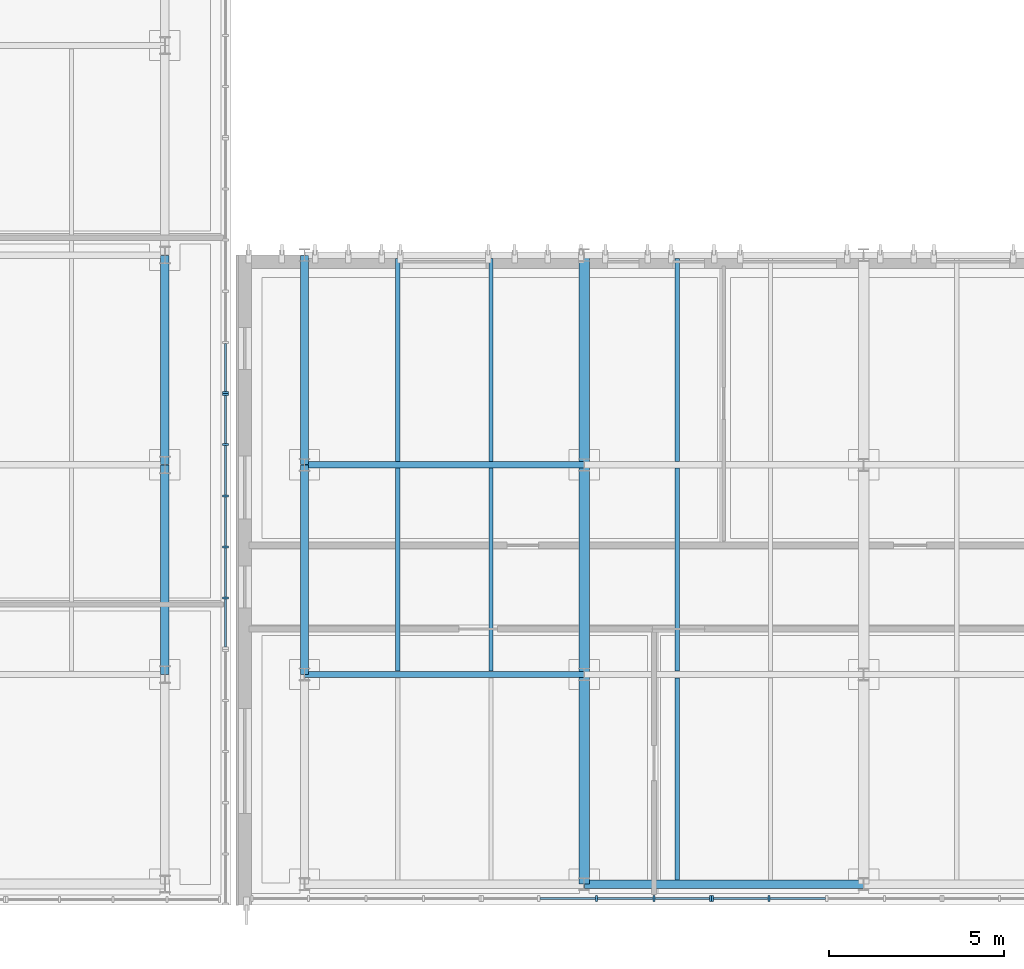
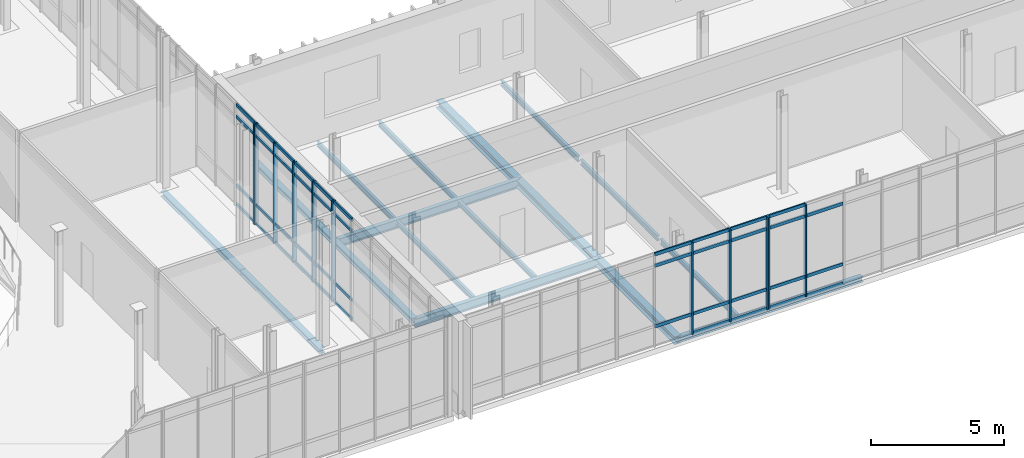
# One storey, part 26 of 86: 53 members, 17 beams, 4 elements without a shape of their own.
"""IFC4 building model written with IfcOpenShell, lengths in metres."""

from ifc_helpers import new_model, si_unit, direction, frame, origin, origin_2d, place, context, subcontext, project, spatial, rectangle, i_section, extrude, material, material_profile, profile_set, type_object, element, aggregate, save


model = new_model("IFC4")

# Units and contexts
model_context = context("Model", 3, precision=1e-05, world=origin(), true_north=direction((0.0, 1.0)))
body_context = subcontext(model_context, "Body", "Model", "MODEL_VIEW")
ifc_project = project(units=[si_unit("LENGTHUNIT", "METRE"), si_unit("AREAUNIT", "SQUARE_METRE"), si_unit("VOLUMEUNIT", "CUBIC_METRE"), si_unit("PLANEANGLEUNIT", "RADIAN"), si_unit("MASSUNIT", "GRAM", prefix="KILO")], contexts=[model_context])

# Site, building, storey
site_placement = place(None, origin())
site = spatial("IfcSite", under=ifc_project, at=site_placement, CompositionType="ELEMENT")
building_placement = place(site_placement, origin())
building = spatial("IfcBuilding", under=site, at=building_placement, Name="Cymarion Research Institute", CompositionType="ELEMENT")
storey_placement = place(building_placement, frame((0.0, 0.0, 13.800048828125)))
storey = spatial("IfcBuildingStorey", under=building, at=storey_placement, Name="L03", CompositionType="ELEMENT", Elevation=13.800048828125)

# Curtain wall, members
ifc_material_1 = material(Name="Anodised aluminium unitised curtain wall with Low-E glazing", Category="aluminium")
curtain_wall_type_1 = type_object("IfcCurtainWallType", Name="UNITISED CURTAIN WALL CW26 6590X4240", PredefinedType="NOTDEFINED", material=ifc_material_1)
curtain_wall_1_placement = place(storey_placement, origin())
curtain_wall_1 = element("IfcCurtainWall", 1, at=curtain_wall_1_placement, inside=storey, type_object=curtain_wall_type_1, Name="L03 V1 unitised curtain wall CW26 #120", PredefinedType="NOTDEFINED")
ifc_material_2 = material(Name="Anodised aluminium framing", Category="aluminium")
ifc_material_profile_1 = material_profile(ifc_material_2, rectangle(XDim=0.06005859375, YDim=0.179931640625, at=origin_2d()), Name="ALU MULLION 60x180")
ifc_profile_set_1 = profile_set([ifc_material_profile_1], Name="Anodised aluminium framing")
member_type_1 = type_object("IfcMemberType", Name="CURTAIN WALL MULLION ML01 60X180", PredefinedType="MULLION", material=ifc_profile_set_1)
member_1_placement = place(storey_placement, frame((114.95166015625, 5.090087890625, 0.0), z_axis=(0.0, 0.0, 1.0), x_axis=(1.0, 0.0, 0.0)))
member_1 = element("IfcMember", 2, at=member_1_placement, type_object=member_type_1, Name="CW26 mullion 3", PredefinedType="MULLION", context=body_context, shape_type="SweptSolid", body=[
    extrude(rectangle(XDim=0.06005859375, YDim=0.179931640625, at=origin_2d()), origin(), (0.0, 0.0, 1.0), 4.239990234375),
])
member_2_placement = place(storey_placement, frame((116.599853515625, 5.090087890625, 0.0), z_axis=(0.0, 0.0, 1.0), x_axis=(1.0, 0.0, 0.0)))
member_2 = element("IfcMember", 3, at=member_2_placement, type_object=member_type_1, Name="CW26 mullion 4", PredefinedType="MULLION", context=body_context, shape_type="SweptSolid", body=[
    extrude(rectangle(XDim=0.06005859375, YDim=0.179931640625, at=origin_2d()), origin(), (0.0, 0.0, 1.0), 4.239990234375),
])
member_3_placement = place(storey_placement, frame((118.21826171875, 5.090087890625, 0.0), z_axis=(0.0, 0.0, 1.0), x_axis=(1.0, 0.0, 0.0)))
member_3 = element("IfcMember", 4, at=member_3_placement, type_object=member_type_1, Name="CW26 mullion 5", PredefinedType="MULLION", context=body_context, shape_type="SweptSolid", body=[
    extrude(rectangle(XDim=0.06005859375, YDim=0.179931640625, at=origin_2d()), origin(), (0.0, 0.0, 1.0), 4.239990234375),
])

curtain_wall_2_placement = place(storey_placement, origin())
curtain_wall_2 = element("IfcCurtainWall", 5, at=curtain_wall_2_placement, inside=storey, type_object=curtain_wall_type_1, Name="L03 V1 unitised curtain wall CW26 #121", PredefinedType="NOTDEFINED")
member_4_placement = place(storey_placement, frame((118.2783203125, 5.090087890625, 0.0), z_axis=(0.0, 0.0, 1.0), x_axis=(1.0, 0.0, 0.0)))
member_4 = element("IfcMember", 6, at=member_4_placement, type_object=member_type_1, Name="CW26 mullion 1", PredefinedType="MULLION", context=body_context, shape_type="SweptSolid", body=[
    extrude(rectangle(XDim=0.06005859375, YDim=0.179931640625, at=origin_2d()), origin(), (0.0, 0.0, 1.0), 4.239990234375),
])
member_5_placement = place(storey_placement, frame((119.896484375, 5.090087890625, 0.0), z_axis=(0.0, 0.0, 1.0), x_axis=(1.0, 0.0, 0.0)))
member_5 = element("IfcMember", 7, at=member_5_placement, type_object=member_type_1, Name="CW26 mullion 2", PredefinedType="MULLION", context=body_context, shape_type="SweptSolid", body=[
    extrude(rectangle(XDim=0.06005859375, YDim=0.179931640625, at=origin_2d()), origin(), (0.0, 0.0, 1.0), 4.239990234375),
])

curtain_wall_type_2 = type_object("IfcCurtainWallType", Name="UNITISED CURTAIN WALL CW28 7320X4620", PredefinedType="NOTDEFINED", material=ifc_material_1)
curtain_wall_3_placement = place(storey_placement, origin())
curtain_wall_3 = element("IfcCurtainWall", 8, at=curtain_wall_3_placement, inside=storey, type_object=curtain_wall_type_2, Name="L03 V2 unitised curtain wall CW28 #138", PredefinedType="NOTDEFINED")
member_6_placement = place(storey_placement, frame((104.340087890625, 13.68408203125, 0.0), z_axis=(0.0, 0.0, 1.0), x_axis=(0.0, 1.0, 0.0)))
member_6 = element("IfcMember", 9, at=member_6_placement, type_object=member_type_1, Name="CW28 mullion 2", PredefinedType="MULLION", context=body_context, shape_type="SweptSolid", body=[
    extrude(rectangle(XDim=0.06005859375, YDim=0.179931640625, at=origin_2d()), origin(), (0.0, 0.0, 1.0), 4.619873046875),
])
member_7_placement = place(storey_placement, frame((104.340087890625, 15.14794921875, 0.0), z_axis=(0.0, 0.0, 1.0), x_axis=(0.0, 1.0, 0.0)))
member_7 = element("IfcMember", 10, at=member_7_placement, type_object=member_type_1, Name="CW28 mullion 3", PredefinedType="MULLION", context=body_context, shape_type="SweptSolid", body=[
    extrude(rectangle(XDim=0.06005859375, YDim=0.179931640625, at=origin_2d()), origin(), (0.0, 0.0, 1.0), 4.619873046875),
])
member_8_placement = place(storey_placement, frame((104.340087890625, 16.612060546875, 0.0), z_axis=(0.0, 0.0, 1.0), x_axis=(0.0, 1.0, 0.0)))
member_8 = element("IfcMember", 11, at=member_8_placement, type_object=member_type_1, Name="CW28 mullion 4", PredefinedType="MULLION", context=body_context, shape_type="SweptSolid", body=[
    extrude(rectangle(XDim=0.06005859375, YDim=0.179931640625, at=origin_2d()), origin(), (0.0, 0.0, 1.0), 4.619873046875),
])
member_9_placement = place(storey_placement, frame((104.340087890625, 18.075927734375, 0.0), z_axis=(0.0, 0.0, 1.0), x_axis=(0.0, 1.0, 0.0)))
member_9 = element("IfcMember", 12, at=member_9_placement, type_object=member_type_1, Name="CW28 mullion 5", PredefinedType="MULLION", context=body_context, shape_type="SweptSolid", body=[
    extrude(rectangle(XDim=0.06005859375, YDim=0.179931640625, at=origin_2d()), origin(), (0.0, 0.0, 1.0), 4.619873046875),
])
member_10_placement = place(storey_placement, frame((104.340087890625, 19.510009765625, 0.0), z_axis=(0.0, 0.0, 1.0), x_axis=(0.0, 1.0, 0.0)))
member_10 = element("IfcMember", 13, at=member_10_placement, type_object=member_type_1, Name="CW28 mullion 6", PredefinedType="MULLION", context=body_context, shape_type="SweptSolid", body=[
    extrude(rectangle(XDim=0.06005859375, YDim=0.179931640625, at=origin_2d()), origin(), (0.0, 0.0, 1.0), 4.619873046875),
])

# Curtain wall, member
curtain_wall_4_placement = place(storey_placement, origin())
curtain_wall_4 = element("IfcCurtainWall", 14, at=curtain_wall_4_placement, inside=storey, type_object=curtain_wall_type_2, Name="L03 V2 unitised curtain wall CW28 #139", PredefinedType="NOTDEFINED")
member_11_placement = place(storey_placement, frame((104.340087890625, 19.570068359375, 0.0), z_axis=(0.0, 0.0, 1.0), x_axis=(0.0, 1.0, 0.0)))
member_11 = element("IfcMember", 15, at=member_11_placement, type_object=member_type_1, Name="CW28 mullion 1", PredefinedType="MULLION", context=body_context, shape_type="SweptSolid", body=[
    extrude(rectangle(XDim=0.06005859375, YDim=0.179931640625, at=origin_2d()), origin(), (0.0, 0.0, 1.0), 4.619873046875),
])

# Member
ifc_material_profile_2 = material_profile(ifc_material_2, rectangle(XDim=0.06005859375, YDim=0.14990234375, at=origin_2d()), Name="ALU TRANSOM 60x150")
ifc_profile_set_2 = profile_set([ifc_material_profile_2], Name="Anodised aluminium framing")
member_type_2 = type_object("IfcMemberType", Name="CURTAIN WALL TRANSOM TR01 60X150", PredefinedType="USERDEFINED", material=ifc_profile_set_2)
member_12_placement = place(storey_placement, frame((113.33349609375, 5.090087890625, 0.89990234375), z_axis=(1.0, 0.0, 0.0), x_axis=(0.0, 1.0, 0.0)))
member_12 = element("IfcMember", 16, at=member_12_placement, type_object=member_type_2, Name="CW26 transom 2.2", ObjectType="TRANSOM", PredefinedType="USERDEFINED", context=body_context, shape_type="SweptSolid", body=[
    extrude(rectangle(XDim=0.06005859375, YDim=0.14990234375, at=origin_2d()), origin(), (0.0, 0.0, 1.0), 1.588134765625),
])

member_13_placement = place(storey_placement, frame((113.33349609375, 5.090087890625, 3.68994140625), z_axis=(1.0, 0.0, 0.0), x_axis=(0.0, 1.0, 0.0)))
member_13 = element("IfcMember", 17, at=member_13_placement, type_object=member_type_2, Name="CW26 transom 2.3", ObjectType="TRANSOM", PredefinedType="USERDEFINED", context=body_context, shape_type="SweptSolid", body=[
    extrude(rectangle(XDim=0.06005859375, YDim=0.14990234375, at=origin_2d()), origin(), (0.0, 0.0, 1.0), 1.588134765625),
])

member_14_placement = place(storey_placement, frame((113.33349609375, 5.090087890625, 4.2099609375), z_axis=(1.0, 0.0, 0.0), x_axis=(0.0, 1.0, 0.0)))
member_14 = element("IfcMember", 18, at=member_14_placement, type_object=member_type_2, Name="CW26 transom 2.4", ObjectType="TRANSOM", PredefinedType="USERDEFINED", context=body_context, shape_type="SweptSolid", body=[
    extrude(rectangle(XDim=0.06005859375, YDim=0.14990234375, at=origin_2d()), origin(), (0.0, 0.0, 1.0), 1.588134765625),
])

member_15_placement = place(storey_placement, frame((114.981689453125, 5.090087890625, 0.030029296875), z_axis=(1.0, 0.0, 0.0), x_axis=(0.0, 1.0, 0.0)))
member_15 = element("IfcMember", 19, at=member_15_placement, type_object=member_type_2, Name="CW26 transom 3.1", ObjectType="TRANSOM", PredefinedType="USERDEFINED", context=body_context, shape_type="SweptSolid", body=[
    extrude(rectangle(XDim=0.06005859375, YDim=0.14990234375, at=origin_2d()), origin(), (0.0, 0.0, 1.0), 1.588134765625),
])

member_16_placement = place(storey_placement, frame((114.981689453125, 5.090087890625, 0.89990234375), z_axis=(1.0, 0.0, 0.0), x_axis=(0.0, 1.0, 0.0)))
member_16 = element("IfcMember", 20, at=member_16_placement, type_object=member_type_2, Name="CW26 transom 3.2", ObjectType="TRANSOM", PredefinedType="USERDEFINED", context=body_context, shape_type="SweptSolid", body=[
    extrude(rectangle(XDim=0.06005859375, YDim=0.14990234375, at=origin_2d()), origin(), (0.0, 0.0, 1.0), 1.588134765625),
])

member_17_placement = place(storey_placement, frame((114.981689453125, 5.090087890625, 3.68994140625), z_axis=(1.0, 0.0, 0.0), x_axis=(0.0, 1.0, 0.0)))
member_17 = element("IfcMember", 21, at=member_17_placement, type_object=member_type_2, Name="CW26 transom 3.3", ObjectType="TRANSOM", PredefinedType="USERDEFINED", context=body_context, shape_type="SweptSolid", body=[
    extrude(rectangle(XDim=0.06005859375, YDim=0.14990234375, at=origin_2d()), origin(), (0.0, 0.0, 1.0), 1.588134765625),
])

member_18_placement = place(storey_placement, frame((114.981689453125, 5.090087890625, 4.2099609375), z_axis=(1.0, 0.0, 0.0), x_axis=(0.0, 1.0, 0.0)))
member_18 = element("IfcMember", 22, at=member_18_placement, type_object=member_type_2, Name="CW26 transom 3.4", ObjectType="TRANSOM", PredefinedType="USERDEFINED", context=body_context, shape_type="SweptSolid", body=[
    extrude(rectangle(XDim=0.06005859375, YDim=0.14990234375, at=origin_2d()), origin(), (0.0, 0.0, 1.0), 1.588134765625),
])

member_19_placement = place(storey_placement, frame((116.6298828125, 5.090087890625, 0.030029296875), z_axis=(1.0, 0.0, 0.0), x_axis=(0.0, 1.0, 0.0)))
member_19 = element("IfcMember", 23, at=member_19_placement, type_object=member_type_2, Name="CW26 transom 4.1", ObjectType="TRANSOM", PredefinedType="USERDEFINED", context=body_context, shape_type="SweptSolid", body=[
    extrude(rectangle(XDim=0.06005859375, YDim=0.14990234375, at=origin_2d()), origin(), (0.0, 0.0, 1.0), 1.558349609375),
])

member_20_placement = place(storey_placement, frame((116.6298828125, 5.090087890625, 0.89990234375), z_axis=(1.0, 0.0, 0.0), x_axis=(0.0, 1.0, 0.0)))
member_20 = element("IfcMember", 24, at=member_20_placement, type_object=member_type_2, Name="CW26 transom 4.2", ObjectType="TRANSOM", PredefinedType="USERDEFINED", context=body_context, shape_type="SweptSolid", body=[
    extrude(rectangle(XDim=0.06005859375, YDim=0.14990234375, at=origin_2d()), origin(), (0.0, 0.0, 1.0), 1.558349609375),
])

member_21_placement = place(storey_placement, frame((116.6298828125, 5.090087890625, 3.68994140625), z_axis=(1.0, 0.0, 0.0), x_axis=(0.0, 1.0, 0.0)))
member_21 = element("IfcMember", 25, at=member_21_placement, type_object=member_type_2, Name="CW26 transom 4.3", ObjectType="TRANSOM", PredefinedType="USERDEFINED", context=body_context, shape_type="SweptSolid", body=[
    extrude(rectangle(XDim=0.06005859375, YDim=0.14990234375, at=origin_2d()), origin(), (0.0, 0.0, 1.0), 1.558349609375),
])

member_22_placement = place(storey_placement, frame((116.6298828125, 5.090087890625, 4.2099609375), z_axis=(1.0, 0.0, 0.0), x_axis=(0.0, 1.0, 0.0)))
member_22 = element("IfcMember", 26, at=member_22_placement, type_object=member_type_2, Name="CW26 transom 4.4", ObjectType="TRANSOM", PredefinedType="USERDEFINED", context=body_context, shape_type="SweptSolid", body=[
    extrude(rectangle(XDim=0.06005859375, YDim=0.14990234375, at=origin_2d()), origin(), (0.0, 0.0, 1.0), 1.558349609375),
])

aggregate(curtain_wall_1, [member_1, member_2, member_3, member_12, member_13, member_14, member_15, member_16, member_17, member_18, member_19, member_20, member_21, member_22])

member_23_placement = place(storey_placement, frame((118.30810546875, 5.090087890625, 0.030029296875), z_axis=(1.0, 0.0, 0.0), x_axis=(0.0, 1.0, 0.0)))
member_23 = element("IfcMember", 27, at=member_23_placement, type_object=member_type_2, Name="CW26 transom 1.1", ObjectType="TRANSOM", PredefinedType="USERDEFINED", context=body_context, shape_type="SweptSolid", body=[
    extrude(rectangle(XDim=0.06005859375, YDim=0.14990234375, at=origin_2d()), origin(), (0.0, 0.0, 1.0), 1.558349609375),
])

member_24_placement = place(storey_placement, frame((118.30810546875, 5.090087890625, 0.89990234375), z_axis=(1.0, 0.0, 0.0), x_axis=(0.0, 1.0, 0.0)))
member_24 = element("IfcMember", 28, at=member_24_placement, type_object=member_type_2, Name="CW26 transom 1.2", ObjectType="TRANSOM", PredefinedType="USERDEFINED", context=body_context, shape_type="SweptSolid", body=[
    extrude(rectangle(XDim=0.06005859375, YDim=0.14990234375, at=origin_2d()), origin(), (0.0, 0.0, 1.0), 1.558349609375),
])

member_25_placement = place(storey_placement, frame((118.30810546875, 5.090087890625, 3.68994140625), z_axis=(1.0, 0.0, 0.0), x_axis=(0.0, 1.0, 0.0)))
member_25 = element("IfcMember", 29, at=member_25_placement, type_object=member_type_2, Name="CW26 transom 1.3", ObjectType="TRANSOM", PredefinedType="USERDEFINED", context=body_context, shape_type="SweptSolid", body=[
    extrude(rectangle(XDim=0.06005859375, YDim=0.14990234375, at=origin_2d()), origin(), (0.0, 0.0, 1.0), 1.558349609375),
])

member_26_placement = place(storey_placement, frame((118.30810546875, 5.090087890625, 4.2099609375), z_axis=(1.0, 0.0, 0.0), x_axis=(0.0, 1.0, 0.0)))
member_26 = element("IfcMember", 30, at=member_26_placement, type_object=member_type_2, Name="CW26 transom 1.4", ObjectType="TRANSOM", PredefinedType="USERDEFINED", context=body_context, shape_type="SweptSolid", body=[
    extrude(rectangle(XDim=0.06005859375, YDim=0.14990234375, at=origin_2d()), origin(), (0.0, 0.0, 1.0), 1.558349609375),
])

member_27_placement = place(storey_placement, frame((119.926513671875, 5.090087890625, 0.030029296875), z_axis=(1.0, 0.0, 0.0), x_axis=(0.0, 1.0, 0.0)))
member_27 = element("IfcMember", 31, at=member_27_placement, type_object=member_type_2, Name="CW26 transom 2.1", ObjectType="TRANSOM", PredefinedType="USERDEFINED", context=body_context, shape_type="SweptSolid", body=[
    extrude(rectangle(XDim=0.06005859375, YDim=0.14990234375, at=origin_2d()), origin(), (0.0, 0.0, 1.0), 1.588134765625),
])

member_28_placement = place(storey_placement, frame((119.926513671875, 5.090087890625, 0.89990234375), z_axis=(1.0, 0.0, 0.0), x_axis=(0.0, 1.0, 0.0)))
member_28 = element("IfcMember", 32, at=member_28_placement, type_object=member_type_2, Name="CW26 transom 2.2", ObjectType="TRANSOM", PredefinedType="USERDEFINED", context=body_context, shape_type="SweptSolid", body=[
    extrude(rectangle(XDim=0.06005859375, YDim=0.14990234375, at=origin_2d()), origin(), (0.0, 0.0, 1.0), 1.588134765625),
])

member_29_placement = place(storey_placement, frame((119.926513671875, 5.090087890625, 3.68994140625), z_axis=(1.0, 0.0, 0.0), x_axis=(0.0, 1.0, 0.0)))
member_29 = element("IfcMember", 33, at=member_29_placement, type_object=member_type_2, Name="CW26 transom 2.3", ObjectType="TRANSOM", PredefinedType="USERDEFINED", context=body_context, shape_type="SweptSolid", body=[
    extrude(rectangle(XDim=0.06005859375, YDim=0.14990234375, at=origin_2d()), origin(), (0.0, 0.0, 1.0), 1.588134765625),
])

aggregate(curtain_wall_2, [member_4, member_5, member_23, member_24, member_25, member_26, member_27, member_28, member_29])

member_30_placement = place(storey_placement, frame((104.340087890625, 12.280029296875, 0.030029296875), z_axis=(0.0, 1.0, 0.0), x_axis=(-1.0, 0.0, 0.0)))
member_30 = element("IfcMember", 34, at=member_30_placement, type_object=member_type_2, Name="CW28 transom 1.1", ObjectType="TRANSOM", PredefinedType="USERDEFINED", context=body_context, shape_type="SweptSolid", body=[
    extrude(rectangle(XDim=0.06005859375, YDim=0.14990234375, at=origin_2d()), origin(), (0.0, 0.0, 1.0), 1.3740234375),
])

member_31_placement = place(storey_placement, frame((104.340087890625, 12.280029296875, 0.89990234375), z_axis=(0.0, 1.0, 0.0), x_axis=(-1.0, 0.0, 0.0)))
member_31 = element("IfcMember", 35, at=member_31_placement, type_object=member_type_2, Name="CW28 transom 1.2", ObjectType="TRANSOM", PredefinedType="USERDEFINED", context=body_context, shape_type="SweptSolid", body=[
    extrude(rectangle(XDim=0.06005859375, YDim=0.14990234375, at=origin_2d()), origin(), (0.0, 0.0, 1.0), 1.3740234375),
])

member_32_placement = place(storey_placement, frame((104.340087890625, 12.280029296875, 4.070068359375), z_axis=(0.0, 1.0, 0.0), x_axis=(-1.0, 0.0, 0.0)))
member_32 = element("IfcMember", 36, at=member_32_placement, type_object=member_type_2, Name="CW28 transom 1.3", ObjectType="TRANSOM", PredefinedType="USERDEFINED", context=body_context, shape_type="SweptSolid", body=[
    extrude(rectangle(XDim=0.06005859375, YDim=0.14990234375, at=origin_2d()), origin(), (0.0, 0.0, 1.0), 1.3740234375),
])

member_33_placement = place(storey_placement, frame((104.340087890625, 12.280029296875, 4.58984375), z_axis=(0.0, 1.0, 0.0), x_axis=(-1.0, 0.0, 0.0)))
member_33 = element("IfcMember", 37, at=member_33_placement, type_object=member_type_2, Name="CW28 transom 1.4", ObjectType="TRANSOM", PredefinedType="USERDEFINED", context=body_context, shape_type="SweptSolid", body=[
    extrude(rectangle(XDim=0.06005859375, YDim=0.14990234375, at=origin_2d()), origin(), (0.0, 0.0, 1.0), 1.3740234375),
])

member_34_placement = place(storey_placement, frame((104.340087890625, 13.714111328125, 0.030029296875), z_axis=(0.0, 1.0, 0.0), x_axis=(-1.0, 0.0, 0.0)))
member_34 = element("IfcMember", 38, at=member_34_placement, type_object=member_type_2, Name="CW28 transom 2.1", ObjectType="TRANSOM", PredefinedType="USERDEFINED", context=body_context, shape_type="SweptSolid", body=[
    extrude(rectangle(XDim=0.06005859375, YDim=0.14990234375, at=origin_2d()), origin(), (0.0, 0.0, 1.0), 1.40380859375),
])

member_35_placement = place(storey_placement, frame((104.340087890625, 13.714111328125, 0.89990234375), z_axis=(0.0, 1.0, 0.0), x_axis=(-1.0, 0.0, 0.0)))
member_35 = element("IfcMember", 39, at=member_35_placement, type_object=member_type_2, Name="CW28 transom 2.2", ObjectType="TRANSOM", PredefinedType="USERDEFINED", context=body_context, shape_type="SweptSolid", body=[
    extrude(rectangle(XDim=0.06005859375, YDim=0.14990234375, at=origin_2d()), origin(), (0.0, 0.0, 1.0), 1.40380859375),
])

member_36_placement = place(storey_placement, frame((104.340087890625, 13.714111328125, 4.070068359375), z_axis=(0.0, 1.0, 0.0), x_axis=(-1.0, 0.0, 0.0)))
member_36 = element("IfcMember", 40, at=member_36_placement, type_object=member_type_2, Name="CW28 transom 2.3", ObjectType="TRANSOM", PredefinedType="USERDEFINED", context=body_context, shape_type="SweptSolid", body=[
    extrude(rectangle(XDim=0.06005859375, YDim=0.14990234375, at=origin_2d()), origin(), (0.0, 0.0, 1.0), 1.40380859375),
])

member_37_placement = place(storey_placement, frame((104.340087890625, 13.714111328125, 4.58984375), z_axis=(0.0, 1.0, 0.0), x_axis=(-1.0, 0.0, 0.0)))
member_37 = element("IfcMember", 41, at=member_37_placement, type_object=member_type_2, Name="CW28 transom 2.4", ObjectType="TRANSOM", PredefinedType="USERDEFINED", context=body_context, shape_type="SweptSolid", body=[
    extrude(rectangle(XDim=0.06005859375, YDim=0.14990234375, at=origin_2d()), origin(), (0.0, 0.0, 1.0), 1.40380859375),
])

member_38_placement = place(storey_placement, frame((104.340087890625, 15.177978515625, 0.030029296875), z_axis=(0.0, 1.0, 0.0), x_axis=(-1.0, 0.0, 0.0)))
member_38 = element("IfcMember", 42, at=member_38_placement, type_object=member_type_2, Name="CW28 transom 3.1", ObjectType="TRANSOM", PredefinedType="USERDEFINED", context=body_context, shape_type="SweptSolid", body=[
    extrude(rectangle(XDim=0.06005859375, YDim=0.14990234375, at=origin_2d()), origin(), (0.0, 0.0, 1.0), 1.404052734375),
])

member_39_placement = place(storey_placement, frame((104.340087890625, 15.177978515625, 0.89990234375), z_axis=(0.0, 1.0, 0.0), x_axis=(-1.0, 0.0, 0.0)))
member_39 = element("IfcMember", 43, at=member_39_placement, type_object=member_type_2, Name="CW28 transom 3.2", ObjectType="TRANSOM", PredefinedType="USERDEFINED", context=body_context, shape_type="SweptSolid", body=[
    extrude(rectangle(XDim=0.06005859375, YDim=0.14990234375, at=origin_2d()), origin(), (0.0, 0.0, 1.0), 1.404052734375),
])

member_40_placement = place(storey_placement, frame((104.340087890625, 15.177978515625, 4.070068359375), z_axis=(0.0, 1.0, 0.0), x_axis=(-1.0, 0.0, 0.0)))
member_40 = element("IfcMember", 44, at=member_40_placement, type_object=member_type_2, Name="CW28 transom 3.3", ObjectType="TRANSOM", PredefinedType="USERDEFINED", context=body_context, shape_type="SweptSolid", body=[
    extrude(rectangle(XDim=0.06005859375, YDim=0.14990234375, at=origin_2d()), origin(), (0.0, 0.0, 1.0), 1.404052734375),
])

member_41_placement = place(storey_placement, frame((104.340087890625, 15.177978515625, 4.58984375), z_axis=(0.0, 1.0, 0.0), x_axis=(-1.0, 0.0, 0.0)))
member_41 = element("IfcMember", 45, at=member_41_placement, type_object=member_type_2, Name="CW28 transom 3.4", ObjectType="TRANSOM", PredefinedType="USERDEFINED", context=body_context, shape_type="SweptSolid", body=[
    extrude(rectangle(XDim=0.06005859375, YDim=0.14990234375, at=origin_2d()), origin(), (0.0, 0.0, 1.0), 1.404052734375),
])

member_42_placement = place(storey_placement, frame((104.340087890625, 16.64208984375, 0.030029296875), z_axis=(0.0, 1.0, 0.0), x_axis=(-1.0, 0.0, 0.0)))
member_42 = element("IfcMember", 46, at=member_42_placement, type_object=member_type_2, Name="CW28 transom 4.1", ObjectType="TRANSOM", PredefinedType="USERDEFINED", context=body_context, shape_type="SweptSolid", body=[
    extrude(rectangle(XDim=0.06005859375, YDim=0.14990234375, at=origin_2d()), origin(), (0.0, 0.0, 1.0), 1.40380859375),
])

member_43_placement = place(storey_placement, frame((104.340087890625, 16.64208984375, 0.89990234375), z_axis=(0.0, 1.0, 0.0), x_axis=(-1.0, 0.0, 0.0)))
member_43 = element("IfcMember", 47, at=member_43_placement, type_object=member_type_2, Name="CW28 transom 4.2", ObjectType="TRANSOM", PredefinedType="USERDEFINED", context=body_context, shape_type="SweptSolid", body=[
    extrude(rectangle(XDim=0.06005859375, YDim=0.14990234375, at=origin_2d()), origin(), (0.0, 0.0, 1.0), 1.40380859375),
])

member_44_placement = place(storey_placement, frame((104.340087890625, 16.64208984375, 4.070068359375), z_axis=(0.0, 1.0, 0.0), x_axis=(-1.0, 0.0, 0.0)))
member_44 = element("IfcMember", 48, at=member_44_placement, type_object=member_type_2, Name="CW28 transom 4.3", ObjectType="TRANSOM", PredefinedType="USERDEFINED", context=body_context, shape_type="SweptSolid", body=[
    extrude(rectangle(XDim=0.06005859375, YDim=0.14990234375, at=origin_2d()), origin(), (0.0, 0.0, 1.0), 1.40380859375),
])

member_45_placement = place(storey_placement, frame((104.340087890625, 16.64208984375, 4.58984375), z_axis=(0.0, 1.0, 0.0), x_axis=(-1.0, 0.0, 0.0)))
member_45 = element("IfcMember", 49, at=member_45_placement, type_object=member_type_2, Name="CW28 transom 4.4", ObjectType="TRANSOM", PredefinedType="USERDEFINED", context=body_context, shape_type="SweptSolid", body=[
    extrude(rectangle(XDim=0.06005859375, YDim=0.14990234375, at=origin_2d()), origin(), (0.0, 0.0, 1.0), 1.40380859375),
])

member_46_placement = place(storey_placement, frame((104.340087890625, 18.10595703125, 0.030029296875), z_axis=(0.0, 1.0, 0.0), x_axis=(-1.0, 0.0, 0.0)))
member_46 = element("IfcMember", 50, at=member_46_placement, type_object=member_type_2, Name="CW28 transom 5.1", ObjectType="TRANSOM", PredefinedType="USERDEFINED", context=body_context, shape_type="SweptSolid", body=[
    extrude(rectangle(XDim=0.06005859375, YDim=0.14990234375, at=origin_2d()), origin(), (0.0, 0.0, 1.0), 1.3740234375),
])

member_47_placement = place(storey_placement, frame((104.340087890625, 18.10595703125, 0.89990234375), z_axis=(0.0, 1.0, 0.0), x_axis=(-1.0, 0.0, 0.0)))
member_47 = element("IfcMember", 51, at=member_47_placement, type_object=member_type_2, Name="CW28 transom 5.2", ObjectType="TRANSOM", PredefinedType="USERDEFINED", context=body_context, shape_type="SweptSolid", body=[
    extrude(rectangle(XDim=0.06005859375, YDim=0.14990234375, at=origin_2d()), origin(), (0.0, 0.0, 1.0), 1.3740234375),
])

member_48_placement = place(storey_placement, frame((104.340087890625, 18.10595703125, 4.070068359375), z_axis=(0.0, 1.0, 0.0), x_axis=(-1.0, 0.0, 0.0)))
member_48 = element("IfcMember", 52, at=member_48_placement, type_object=member_type_2, Name="CW28 transom 5.3", ObjectType="TRANSOM", PredefinedType="USERDEFINED", context=body_context, shape_type="SweptSolid", body=[
    extrude(rectangle(XDim=0.06005859375, YDim=0.14990234375, at=origin_2d()), origin(), (0.0, 0.0, 1.0), 1.3740234375),
])

member_49_placement = place(storey_placement, frame((104.340087890625, 18.10595703125, 4.58984375), z_axis=(0.0, 1.0, 0.0), x_axis=(-1.0, 0.0, 0.0)))
member_49 = element("IfcMember", 53, at=member_49_placement, type_object=member_type_2, Name="CW28 transom 5.4", ObjectType="TRANSOM", PredefinedType="USERDEFINED", context=body_context, shape_type="SweptSolid", body=[
    extrude(rectangle(XDim=0.06005859375, YDim=0.14990234375, at=origin_2d()), origin(), (0.0, 0.0, 1.0), 1.3740234375),
])

aggregate(curtain_wall_3, [member_6, member_7, member_8, member_9, member_10, member_30, member_31, member_32, member_33, member_34, member_35, member_36, member_37, member_38, member_39, member_40, member_41, member_42, member_43, member_44, member_45, member_46, member_47, member_48, member_49])

member_50_placement = place(storey_placement, frame((104.340087890625, 19.60009765625, 0.030029296875), z_axis=(0.0, 1.0, 0.0), x_axis=(-1.0, 0.0, 0.0)))
member_50 = element("IfcMember", 54, at=member_50_placement, type_object=member_type_2, Name="CW28 transom 1.1", ObjectType="TRANSOM", PredefinedType="USERDEFINED", context=body_context, shape_type="SweptSolid", body=[
    extrude(rectangle(XDim=0.06005859375, YDim=0.14990234375, at=origin_2d()), origin(), (0.0, 0.0, 1.0), 1.3740234375),
])

member_51_placement = place(storey_placement, frame((104.340087890625, 19.60009765625, 0.89990234375), z_axis=(0.0, 1.0, 0.0), x_axis=(-1.0, 0.0, 0.0)))
member_51 = element("IfcMember", 55, at=member_51_placement, type_object=member_type_2, Name="CW28 transom 1.2", ObjectType="TRANSOM", PredefinedType="USERDEFINED", context=body_context, shape_type="SweptSolid", body=[
    extrude(rectangle(XDim=0.06005859375, YDim=0.14990234375, at=origin_2d()), origin(), (0.0, 0.0, 1.0), 1.3740234375),
])

member_52_placement = place(storey_placement, frame((104.340087890625, 19.60009765625, 4.070068359375), z_axis=(0.0, 1.0, 0.0), x_axis=(-1.0, 0.0, 0.0)))
member_52 = element("IfcMember", 56, at=member_52_placement, type_object=member_type_2, Name="CW28 transom 1.3", ObjectType="TRANSOM", PredefinedType="USERDEFINED", context=body_context, shape_type="SweptSolid", body=[
    extrude(rectangle(XDim=0.06005859375, YDim=0.14990234375, at=origin_2d()), origin(), (0.0, 0.0, 1.0), 1.3740234375),
])

member_53_placement = place(storey_placement, frame((104.340087890625, 19.60009765625, 4.58984375), z_axis=(0.0, 1.0, 0.0), x_axis=(-1.0, 0.0, 0.0)))
member_53 = element("IfcMember", 57, at=member_53_placement, type_object=member_type_2, Name="CW28 transom 1.4", ObjectType="TRANSOM", PredefinedType="USERDEFINED", context=body_context, shape_type="SweptSolid", body=[
    extrude(rectangle(XDim=0.06005859375, YDim=0.14990234375, at=origin_2d()), origin(), (0.0, 0.0, 1.0), 1.3740234375),
])

aggregate(curtain_wall_4, [member_11, member_50, member_51, member_52, member_53])

# Beams
ifc_material_3 = material(Name="Steel S355", Category="steel")
ifc_material_profile_3 = material_profile(ifc_material_3, i_section(OverallWidth=0.179931640625, OverallDepth=0.39990234375, WebThickness=0.008544921875, FlangeThickness=0.013427734375, FilletRadius=0.02099609375, at=origin_2d()), Name="IPE 400")
ifc_profile_set_3 = profile_set([ifc_material_profile_3], Name="Steel S355")
beam_type_1 = type_object("IfcBeamType", Name="PRIMARY GIRDER BM05 IPE 400", PredefinedType="BEAM", material=ifc_profile_set_3)
for number, where, z_axis, x_axis, name in (
    (58, (106.60595703125, 11.5, -0.449951171875), (1.0, 0.0, 0.0), (0.0, 1.0, 0.0), "L03 V1 girder BM05 #1174"),
    (59, (106.60595703125, 17.5, -0.449951171875), (1.0, 0.0, 0.0), (0.0, 1.0, 0.0), "L03 V1 girder BM05 #1178"),
):
    element("IfcBeam", number, at=place(storey_placement, frame(where, z_axis=z_axis, x_axis=x_axis)), inside=storey, type_object=beam_type_1, Name=name, PredefinedType="BEAM", context=body_context, shape_type="SweptSolid", body=[
        extrude(i_section(OverallWidth=0.179931640625, OverallDepth=0.39990234375, WebThickness=0.008544921875, FlangeThickness=0.013427734375, FilletRadius=0.02099609375, at=origin_2d()), origin(), (0.0, 0.0, 1.0), 7.988037109375),
    ])
ifc_material_profile_4 = material_profile(ifc_material_3, i_section(OverallWidth=0.300048828125, OverallDepth=0.35009765625, WebThickness=0.010009765625, FlangeThickness=0.017578125, FilletRadius=0.027099609375, at=origin_2d()), Name="HEA 360")
ifc_profile_set_4 = profile_set([ifc_material_profile_4], Name="Steel S355")
beam_type_2 = type_object("IfcBeamType", Name="PRIMARY GIRDER BM12 HEA 360", PredefinedType="BEAM", material=ifc_profile_set_4)
for number, where, z_axis, x_axis, name in (
    (60, (114.60009765625, 5.506103515625, -0.425048828125), (0.0, 1.0, 0.0), (-1.0, 0.0, 0.0), "L03 V1 girder BM12 #1199"),
    (61, (114.60009765625, 11.506103515625, -0.425048828125), (0.0, 1.0, 0.0), (-1.0, 0.0, 0.0), "L03 V1 girder BM12 #1200"),
    (62, (114.60009765625, 17.506103515625, -0.425048828125), (0.0, 1.0, 0.0), (-1.0, 0.0, 0.0), "L03 V1 girder BM12 #1201"),
):
    element("IfcBeam", number, at=place(storey_placement, frame(where, z_axis=z_axis, x_axis=x_axis)), inside=storey, type_object=beam_type_2, Name=name, PredefinedType="BEAM", context=body_context, shape_type="SweptSolid", body=[
        extrude(i_section(OverallWidth=0.300048828125, OverallDepth=0.35009765625, WebThickness=0.010009765625, FlangeThickness=0.017578125, FilletRadius=0.027099609375, at=origin_2d()), origin(), (0.0, 0.0, 1.0), 5.98779296875),
    ])
ifc_material_profile_5 = material_profile(ifc_material_3, i_section(OverallWidth=0.1201171875, OverallDepth=0.239990234375, WebThickness=0.006103515625, FlangeThickness=0.009765625, FilletRadius=0.014892578125, at=origin_2d()), Name="IPE 240")
ifc_profile_set_5 = profile_set([ifc_material_profile_5], Name="Steel S355")
beam_type_3 = type_object("IfcBeamType", Name="SECONDARY JOIST JS04 IPE 240", PredefinedType="JOIST", material=ifc_profile_set_5)
beam_1_placement = place(storey_placement, frame((117.2666015625, 5.6240234375, -0.3701171875), z_axis=(0.0, 1.0, 0.0), x_axis=(-1.0, 0.0, 0.0)))
element("IfcBeam", 63, at=beam_1_placement, inside=storey, type_object=beam_type_3, Name="L03 V1 secondary joist JS04 #1243", PredefinedType="JOIST", context=body_context, shape_type="SweptSolid", body=[
    extrude(i_section(OverallWidth=0.1201171875, OverallDepth=0.239990234375, WebThickness=0.006103515625, FlangeThickness=0.009765625, FilletRadius=0.014892578125, at=origin_2d()), origin(), (0.0, 0.0, 1.0), 5.781982421875),
])
for number, where, z_axis, x_axis, name in (
    (64, (109.2666015625, 11.593994140625, -0.3701171875), (0.0, 1.0, 0.0), (-1.0, 0.0, 0.0), "L03 V1 secondary joist JS04 #1249"),
    (65, (111.933349609375, 11.593994140625, -0.3701171875), (0.0, 1.0, 0.0), (-1.0, 0.0, 0.0), "L03 V1 secondary joist JS04 #1250"),
    (66, (117.2666015625, 11.593994140625, -0.3701171875), (0.0, 1.0, 0.0), (-1.0, 0.0, 0.0), "L03 V1 secondary joist JS04 #1251"),
    (67, (109.2666015625, 17.593994140625, -0.3701171875), (0.0, 1.0, 0.0), (-1.0, 0.0, 0.0), "L03 V1 secondary joist JS04 #1257"),
    (68, (111.933349609375, 17.593994140625, -0.3701171875), (0.0, 1.0, 0.0), (-1.0, 0.0, 0.0), "L03 V1 secondary joist JS04 #1258"),
    (69, (117.2666015625, 17.593994140625, -0.3701171875), (0.0, 1.0, 0.0), (-1.0, 0.0, 0.0), "L03 V1 secondary joist JS04 #1259"),
):
    element("IfcBeam", number, at=place(storey_placement, frame(where, z_axis=z_axis, x_axis=x_axis)), inside=storey, type_object=beam_type_3, Name=name, PredefinedType="JOIST", context=body_context, shape_type="SweptSolid", body=[
        extrude(i_section(OverallWidth=0.1201171875, OverallDepth=0.239990234375, WebThickness=0.006103515625, FlangeThickness=0.009765625, FilletRadius=0.014892578125, at=origin_2d()), origin(), (0.0, 0.0, 1.0), 5.81201171875),
    ])
ifc_material_profile_6 = material_profile(ifc_material_3, i_section(OverallWidth=0.239990234375, OverallDepth=0.22998046875, WebThickness=0.007568359375, FlangeThickness=0.011962890625, FilletRadius=0.02099609375, at=origin_2d()), Name="HEA 240")
ifc_profile_set_6 = profile_set([ifc_material_profile_6], Name="Steel S355")
beam_type_4 = type_object("IfcBeamType", Name="SPANDREL BEAM SPB03 HEA 240", PredefinedType="SPANDREL", material=ifc_profile_set_6)
beam_2_placement = place(storey_placement, frame((114.60595703125, 5.5, -0.364990234375), z_axis=(1.0, 0.0, 0.0), x_axis=(0.0, 1.0, 0.0)))
element("IfcBeam", 70, at=beam_2_placement, inside=storey, type_object=beam_type_4, Name="L03 V1 girder SPB03 #1169", PredefinedType="SPANDREL", context=body_context, shape_type="SweptSolid", body=[
    extrude(i_section(OverallWidth=0.239990234375, OverallDepth=0.22998046875, WebThickness=0.007568359375, FlangeThickness=0.011962890625, FilletRadius=0.02099609375, at=origin_2d()), origin(), (0.0, 0.0, 1.0), 7.988037109375),
])
for number, where, z_axis, x_axis, name in (
    (71, (106.60009765625, 11.506103515625, -0.364990234375), (0.0, 1.0, 0.0), (-1.0, 0.0, 0.0), "L03 V1 girder SPB03 #1197"),
    (72, (106.60009765625, 17.506103515625, -0.364990234375), (0.0, 1.0, 0.0), (-1.0, 0.0, 0.0), "L03 V1 girder SPB03 #1198"),
    (73, (102.60009765625, 11.506103515625, -0.364990234375), (0.0, 1.0, 0.0), (-1.0, 0.0, 0.0), "L03 V2 girder SPB03 #1332"),
    (74, (102.60009765625, 17.506103515625, -0.364990234375), (0.0, 1.0, 0.0), (-1.0, 0.0, 0.0), "L03 V2 girder SPB03 #1333"),
):
    element("IfcBeam", number, at=place(storey_placement, frame(where, z_axis=z_axis, x_axis=x_axis)), inside=storey, type_object=beam_type_4, Name=name, PredefinedType="SPANDREL", context=body_context, shape_type="SweptSolid", body=[
        extrude(i_section(OverallWidth=0.239990234375, OverallDepth=0.22998046875, WebThickness=0.007568359375, FlangeThickness=0.011962890625, FilletRadius=0.02099609375, at=origin_2d()), origin(), (0.0, 0.0, 1.0), 5.98779296875),
    ])

save(model, "model.ifc")
